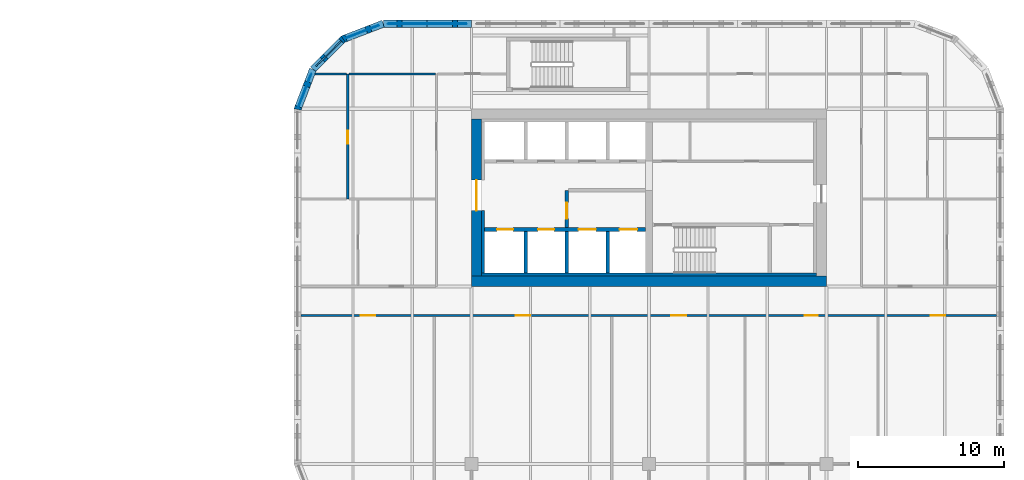
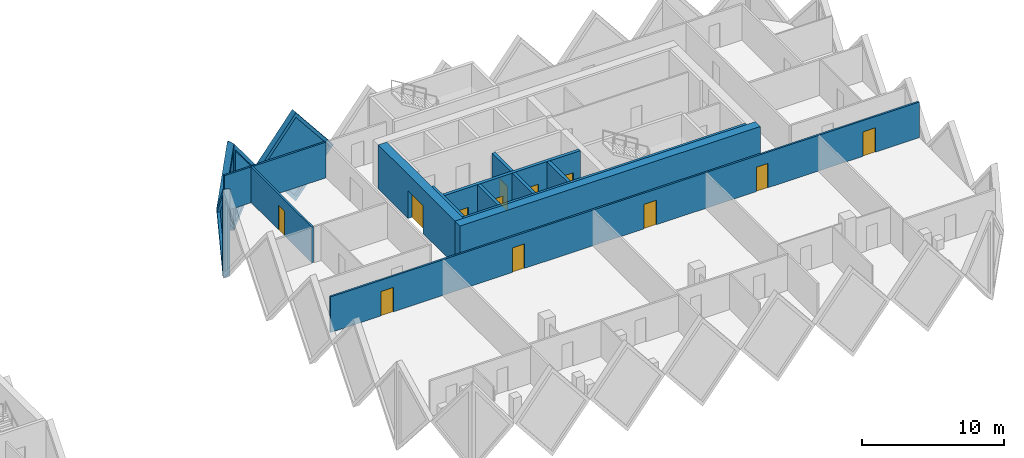
# One storey, part 13 of 20: 17 walls, 12 doors, 4 plates, 16 openings.
"""IFC4 building model written with IfcOpenShell, lengths in metres."""

import ifcopenshell
import ifcopenshell.guid

model = None  # the IFC model being written
_history = None  # IfcOwnerHistory: only IFC2X3 demands one
_inside = {}  # id of a spatial element -> (the spatial element, [elements in it])
_under = {}  # id of a project, library or spatial element -> (it, [spatial elements below it])
_declared = {}  # id of a project -> (the project, [libraries it declares])
_typed = {}  # id of a type object -> (the type object, [elements of that type])
_made_of = {}  # id of a material, layer set ... -> (it, [elements and type objects made of it])


def new_model(schema):
    """Start an empty IFC model of exactly this schema.

    Asked for "IFC4X3", IfcOpenShell would pick the latest addendum, in which some entities
    have other attributes; the version numbers below select the first issue.
    IFC2X3 requires an IfcOwnerHistory on every rooted entity: one is made here for all.
    """
    global model, _history
    if schema == "IFC4X3":
        model = ifcopenshell.file(schema_version=(4, 3, 0, 0))
    else:
        model = ifcopenshell.file(schema=schema)
    _inside.clear()
    _under.clear()
    _declared.clear()
    _typed.clear()
    _made_of.clear()
    _history = None
    if model.schema == "IFC2X3":
        org = make("IfcOrganization", Name="unknown")
        user = make(
            "IfcPersonAndOrganization",
            ThePerson=make("IfcPerson", FamilyName="unknown"),
            TheOrganization=org,
        )
        app = make(
            "IfcApplication",
            ApplicationDeveloper=org,
            Version="unknown",
            ApplicationFullName="unknown",
            ApplicationIdentifier="unknown",
        )
        _history = make(
            "IfcOwnerHistory",
            OwningUser=user,
            OwningApplication=app,
            ChangeAction="ADDED",
            CreationDate=0,
        )
    return model


def make(cls, **values):
    """One entity of the class cls with the attributes given. An attribute that is None is left unset."""
    return model.create_entity(
        cls, **{name: value for name, value in values.items() if value is not None}
    )


def rooted(cls, **values):
    """An entity with a GlobalId (a new one), such as an element, a storey or a relation."""
    return make(cls, GlobalId=ifcopenshell.guid.new(), OwnerHistory=_history, **values)


def si_unit(unit_type, name, prefix=None):
    """IfcSIUnit, for example si_unit("LENGTHUNIT", "METRE", prefix="MILLI")."""
    return make("IfcSIUnit", UnitType=unit_type, Prefix=prefix, Name=name)


def assignment(units):
    """IfcUnitAssignment: the units of a project."""
    return None if units is None else make("IfcUnitAssignment", Units=units)


def point(xyz):
    """IfcCartesianPoint."""
    return None if xyz is None else make("IfcCartesianPoint", Coordinates=xyz)


def direction(xyz):
    """IfcDirection."""
    return None if xyz is None else make("IfcDirection", DirectionRatios=xyz)


def frame(location, z_axis=None, x_axis=None):
    """IfcAxis2Placement3D, a coordinate frame: its origin and axes. An axis left out is left unset."""
    return make(
        "IfcAxis2Placement3D",
        Location=point(location),
        Axis=direction(z_axis),
        RefDirection=direction(x_axis),
    )


def frame_2d(location, x_axis=None):
    """IfcAxis2Placement2D, a coordinate frame in the plane: its origin and x axis."""
    return make(
        "IfcAxis2Placement2D", Location=point(location), RefDirection=direction(x_axis)
    )


def origin():
    """The frame at (0, 0, 0) with its axes left unset."""
    return frame((0.0, 0.0, 0.0))


def place(relative_to, where):
    """IfcLocalPlacement: puts the frame where relative to a parent placement (None: the world)."""
    return make(
        "IfcLocalPlacement", PlacementRelTo=relative_to, RelativePlacement=where
    )


def context(
    kind, dimensions, precision=None, world=None, true_north=None, identifier=None
):
    """IfcGeometricRepresentationContext, for example the 3D "Model" context."""
    return make(
        "IfcGeometricRepresentationContext",
        ContextIdentifier=identifier,
        ContextType=kind,
        CoordinateSpaceDimension=dimensions,
        Precision=precision,
        WorldCoordinateSystem=world,
        TrueNorth=true_north,
    )


def subcontext(parent, identifier, kind, view, scale=None):
    """IfcGeometricRepresentationSubContext, for example "Body" below "Model"."""
    return make(
        "IfcGeometricRepresentationSubContext",
        ContextIdentifier=identifier,
        ContextType=kind,
        ParentContext=parent,
        TargetScale=scale,
        TargetView=view,
    )


def project(units=None, contexts=None):
    """IfcProject with its units and contexts."""
    return rooted(
        "IfcProject",
        Name="project",
        RepresentationContexts=contexts,
        UnitsInContext=assignment(units),
    )


def spatial(cls, under=None, at=None, **own):
    """A site, building, storey or space (cls), placed at a placement, below another one or the project."""
    s = rooted(cls, ObjectPlacement=at, **own)
    if under is not None:
        _under.setdefault(under.id(), (under, []))[1].append(s)
    return s


def polyline(points):
    """IfcPolyline through the points."""
    return make("IfcPolyline", Points=[point(p) for p in points])


def profile(cls, at=None, kind="AREA", **sizes):
    """A parametric profile (cls). Its sizes go by their IFC names, for example OverallWidth=200.0."""
    return make(cls, ProfileType=kind, Position=at, **sizes)


def rectangle(**sizes):
    """IfcRectangleProfileDef."""
    return profile("IfcRectangleProfileDef", **sizes)


def outline(outer, holes=None, kind="AREA"):
    """IfcArbitraryClosedProfileDef: a profile drawn as a closed curve; with holes, ...WithVoids."""
    if holes is None:
        return make("IfcArbitraryClosedProfileDef", ProfileType=kind, OuterCurve=outer)
    return make(
        "IfcArbitraryProfileDefWithVoids",
        ProfileType=kind,
        OuterCurve=outer,
        InnerCurves=holes,
    )


def extrude(swept, where, along, depth):
    """IfcExtrudedAreaSolid: the profile swept, set in the frame where, extruded along a direction by depth."""
    return make(
        "IfcExtrudedAreaSolid",
        SweptArea=swept,
        Position=where,
        ExtrudedDirection=direction(along),
        Depth=depth,
    )


def faces_of(points, faces, orient=None, outer=None):
    """IfcFace entities. A face is a list of loops; a loop is a list of indices into points, from 0.

    orient and outer hold one flag for each loop. By default every Orientation is true, the
    first loop of a face is its IfcFaceOuterBound and the others are IfcFaceBound.
    """
    made = []
    for i, loops in enumerate(faces):
        bounds = []
        for j, loop in enumerate(loops):
            is_outer = j == 0 if outer is None else outer[i][j]
            bounds.append(
                make(
                    "IfcFaceOuterBound" if is_outer else "IfcFaceBound",
                    Bound=make("IfcPolyLoop", Polygon=[points[k] for k in loop]),
                    Orientation=True if orient is None else orient[i][j],
                )
            )
        made.append(make("IfcFace", Bounds=bounds))
    return made


def faceted_brep(points, faces, orient=None, outer=None, voids=None):
    """IfcFacetedBrep: a solid bounded by flat faces; with voids (closed shells), ...WithVoids."""
    shared = [point(p) for p in points]
    hull = make("IfcClosedShell", CfsFaces=faces_of(shared, faces, orient, outer))
    if voids is None:
        return make("IfcFacetedBrep", Outer=hull)
    return make(
        "IfcFacetedBrepWithVoids",
        Outer=hull,
        Voids=[
            make(cls, CfsFaces=faces_of(shared, fs, o, b)) for cls, fs, o, b in voids
        ],
    )


def shape(context_of_items, identifier, shape_type, items):
    """IfcShapeRepresentation: the items that make up one representation, for example the "Body"."""
    return make(
        "IfcShapeRepresentation",
        ContextOfItems=context_of_items,
        RepresentationIdentifier=identifier,
        RepresentationType=shape_type,
        Items=items,
    )


def source(mapping_origin, context_of_items, identifier, shape_type, items):
    """IfcRepresentationMap: a shape defined once, which mapped items show again and again."""
    return make(
        "IfcRepresentationMap",
        MappingOrigin=mapping_origin,
        MappedRepresentation=shape(context_of_items, identifier, shape_type, items),
    )


def transform(
    local_origin,
    x_axis=None,
    y_axis=None,
    z_axis=None,
    scale=None,
    scale2=None,
    scale3=None,
    uniform=True,
):
    """IfcCartesianTransformationOperator3D, or its non-uniform kind. x_axis, y_axis, z_axis: its Axis1, 2, 3."""
    if uniform:
        return make(
            "IfcCartesianTransformationOperator3D",
            Axis1=direction(x_axis),
            Axis2=direction(y_axis),
            LocalOrigin=point(local_origin),
            Scale=scale,
            Axis3=direction(z_axis),
        )
    return make(
        "IfcCartesianTransformationOperator3DnonUniform",
        Axis1=direction(x_axis),
        Axis2=direction(y_axis),
        LocalOrigin=point(local_origin),
        Scale=scale,
        Axis3=direction(z_axis),
        Scale2=scale2,
        Scale3=scale3,
    )


def mapped(mapping_source, mapping_target):
    """IfcMappedItem: shows the shape of a source again, moved by a transform."""
    return make(
        "IfcMappedItem", MappingSource=mapping_source, MappingTarget=mapping_target
    )


def material(Name=None, Category=None):
    """IfcMaterial."""
    return make("IfcMaterial", Name=Name, Category=Category)


def layer(
    of_material, thickness, ventilated=None, Name=None, Category=None, Priority=None
):
    """IfcMaterialLayer: one layer of a wall or slab, of a material (None: an air gap)."""
    return make(
        "IfcMaterialLayer",
        Material=of_material,
        LayerThickness=thickness,
        IsVentilated=ventilated,
        Name=Name,
        Category=Category,
        Priority=Priority,
    )


def layer_set(layers, Name=None):
    """IfcMaterialLayerSet."""
    return make("IfcMaterialLayerSet", MaterialLayers=layers, LayerSetName=Name)


def made_of(thing, what):
    """Note that an element or type object is made of a material, layer set ...; save() writes the relation."""
    if what is not None:
        _made_of.setdefault(what.id(), (what, []))[1].append(thing)
    return thing


def type_object(cls, material=None, **own):
    """A type object (cls), such as IfcWallType, which elements share."""
    return made_of(rooted(cls, **own), material)


def element(
    cls,
    number,
    at=None,
    inside=None,
    cuts=None,
    type_object=None,
    material=None,
    context=None,
    identifier="Body",
    shape_type=None,
    held_by="IfcProductDefinitionShape",
    body=None,
    shapes=None,
    **own,
):
    """One element of the class cls, such as IfcWall. Its Tag is "e" and its number.

    at: its placement. inside: the storey or other place that contains it. cuts: it is an
    opening in that element (IfcRelVoidsElement). A single representation is given by context,
    identifier, shape_type and body (its items); several are given by shapes. held_by: the class
    of the entity that holds the representations. save() writes the other relations.
    """
    e = rooted(cls, Tag="e%d" % number, ObjectPlacement=at, **own)
    if body is not None:
        shapes = [shape(context, identifier, shape_type, body)]
    if shapes is not None:
        e.Representation = make(held_by, Representations=shapes)
    if inside is not None:
        _inside.setdefault(inside.id(), (inside, []))[1].append(e)
    if cuts is not None:
        rooted(
            "IfcRelVoidsElement", RelatingBuildingElement=cuts, RelatedOpeningElement=e
        )
    if type_object is not None:
        _typed.setdefault(type_object.id(), (type_object, []))[1].append(e)
    return made_of(e, material)


def fill(opening, filler):
    """IfcRelFillsElement: the door or window that sits in an opening."""
    return rooted(
        "IfcRelFillsElement",
        RelatingOpeningElement=opening,
        RelatedBuildingElement=filler,
    )


def aggregate(whole, parts):
    """IfcRelAggregates: a whole, such as a stair, and the parts it consists of."""
    return rooted("IfcRelAggregates", RelatingObject=whole, RelatedObjects=parts)


def save(model, path):
    """Write the relations noted so far, then the file.

    IfcRelAggregates (storeys below a building ...), IfcRelContainedInSpatialStructure (elements
    in a storey), IfcRelDefinesByType, IfcRelAssociatesMaterial and IfcRelDeclares: one each for
    every whole, place, type object, material and project.
    """
    for whole, parts in _under.values():
        aggregate(whole, parts)
    for where, things in _inside.values():
        rooted(
            "IfcRelContainedInSpatialStructure",
            RelatedElements=things,
            RelatingStructure=where,
        )
    for kind, things in _typed.values():
        rooted("IfcRelDefinesByType", RelatedObjects=things, RelatingType=kind)
    for what, things in _made_of.values():
        rooted("IfcRelAssociatesMaterial", RelatedObjects=things, RelatingMaterial=what)
    for by, libraries in _declared.values():
        rooted("IfcRelDeclares", RelatingContext=by, RelatedDefinitions=libraries)
    model.write(path)


model = new_model("IFC4")

# Units and contexts
model_context = context("Model", 3, precision=1e-05, world=origin(), true_north=direction((0.0, 1.0)))
body_context = subcontext(model_context, "Body", "Model", "MODEL_VIEW")
ifc_project = project(units=[si_unit("LENGTHUNIT", "METRE"), si_unit("AREAUNIT", "SQUARE_METRE"), si_unit("VOLUMEUNIT", "CUBIC_METRE"), si_unit("PLANEANGLEUNIT", "RADIAN"), si_unit("MASSUNIT", "GRAM", prefix="KILO")], contexts=[model_context])

# Site, building, storey
site_placement = place(None, origin())
site = spatial("IfcSite", under=ifc_project, at=site_placement, CompositionType="ELEMENT")
building_placement = place(site_placement, origin())
building = spatial("IfcBuilding", under=site, at=building_placement, Name="Tessera Gate Towers", CompositionType="ELEMENT")
storey_placement = place(building_placement, frame((0.0, 0.0, 52.39990234375)))
storey = spatial("IfcBuildingStorey", under=building, at=storey_placement, Name="L12", CompositionType="ELEMENT", Elevation=52.39990234375)

# Wall, openings, doors
ifc_material_1 = material(Name="Concrete C40/50", Category="concrete")
ifc_layer_1 = layer(ifc_material_1, 0.25)
ifc_layer_set_1 = layer_set([ifc_layer_1], Name="CORE ENCLOSURE WALL 250")
wall_type_1 = type_object("IfcWallType", Name="CORE ENCLOSURE WALL 250", PredefinedType="SOLIDWALL", material=ifc_layer_set_1)
wall_1_placement = place(storey_placement, frame((98.5, 40.5, 0.0), z_axis=(0.0, 0.0, 1.0), x_axis=(1.0, 0.0, 0.0)))
wall_1 = element("IfcWall", 1, at=wall_1_placement, inside=storey, type_object=wall_type_1, Name="L12 shaft and stair enclosure wall", PredefinedType="SOLIDWALL", context=body_context, shape_type="SweptSolid", body=[
    extrude(rectangle(XDim=11.050048828125, YDim=0.25, at=frame_2d((5.52490234375, 0.0))), origin(), (0.0, 0.0, 1.0), 3.800048828125),
])
shared_shape_1 = source(origin(), body_context, "Body", "SweptSolid", [
    extrude(rectangle(XDim=1.10009765625, YDim=2.10009765625, at=frame_2d((0.550048828125, 1.050048828125))), frame((0.0, 0.135009765625, 0.0), z_axis=(0.0, -1.0, 0.0), x_axis=(1.0, 0.0, 0.0)), (0.0, 0.0, 1.0), 0.27001953125),
])
opening_1_placement = place(wall_1_placement, frame((0.862548828125, 0.0, 0.0)))
opening_1 = element("IfcOpeningElement", 2, at=opening_1_placement, cuts=wall_1, Name="Opening LD-TL1", PredefinedType="OPENING", context=body_context, shape_type="MappedRepresentation", body=[
    mapped(shared_shape_1, transform((0.0, 0.0, 0.0), scale=1.0)),
])
opening_2_placement = place(wall_1_placement, frame((3.6875, 0.0, 0.0)))
opening_2 = element("IfcOpeningElement", 3, at=opening_2_placement, cuts=wall_1, Name="Opening LD-TL2", PredefinedType="OPENING", context=body_context, shape_type="MappedRepresentation", body=[
    mapped(shared_shape_1, transform((0.0, 0.0, 0.0), scale=1.0)),
])
shared_shape_2 = source(origin(), body_context, "Body", "SweptSolid", [
    extrude(rectangle(XDim=1.199951171875, YDim=2.10009765625, at=frame_2d((0.60009765625, 1.050048828125))), frame((0.0, 0.135009765625, 0.0), z_axis=(0.0, -1.0, 0.0), x_axis=(1.0, 0.0, 0.0)), (0.0, 0.0, 1.0), 0.27001953125),
])
opening_3_placement = place(wall_1_placement, frame((6.46240234375, 0.0, 0.0)))
opening_3 = element("IfcOpeningElement", 4, at=opening_3_placement, cuts=wall_1, Name="Opening LD-FF3", PredefinedType="OPENING", context=body_context, shape_type="MappedRepresentation", body=[
    mapped(shared_shape_2, transform((0.0, 0.0, 0.0), scale=1.0)),
])
opening_4_placement = place(wall_1_placement, frame((9.28759765625, 0.0, 0.0)))
opening_4 = element("IfcOpeningElement", 5, at=opening_4_placement, cuts=wall_1, Name="Opening LD-FF4", PredefinedType="OPENING", context=body_context, shape_type="MappedRepresentation", body=[
    mapped(shared_shape_2, transform((0.0, 0.0, 0.0), scale=1.0)),
])
ifc_material_2 = material(Name="Stainless steel", Category="steel")
door_type_1 = type_object("IfcDoorType", Name="CORE DOOR LD1200 1200x2100", OperationType="DOUBLE_DOOR_SLIDING", PredefinedType="DOOR", material=ifc_material_2)
shared_shape_3 = source(origin(), body_context, "Body", "SweptSolid", [
    extrude(rectangle(XDim=1.199951171875, YDim=2.10009765625, at=frame_2d((0.60009765625, 1.050048828125))), frame((0.0, 0.02490234375, 0.0), z_axis=(0.0, -1.0, 0.0), x_axis=(1.0, 0.0, 0.0)), (0.0, 0.0, 1.0), 0.050048828125),
])
door_1_placement = place(opening_3_placement, origin())
door_1 = element("IfcDoor", 6, at=door_1_placement, inside=storey, type_object=door_type_1, Name="Landing door FF3 L12", OperationType="DOUBLE_DOOR_SLIDING", OverallHeight=2.10009765625, OverallWidth=1.199951171875, PredefinedType="DOOR", context=body_context, shape_type="MappedRepresentation", body=[
    mapped(shared_shape_3, transform((0.0, 0.0, 0.0), scale=1.0)),
])
fill(opening_3, door_1)
door_2_placement = place(opening_4_placement, origin())
door_2 = element("IfcDoor", 7, at=door_2_placement, inside=storey, type_object=door_type_1, Name="Landing door FF4 L12", OperationType="DOUBLE_DOOR_SLIDING", OverallHeight=2.10009765625, OverallWidth=1.199951171875, PredefinedType="DOOR", context=body_context, shape_type="MappedRepresentation", body=[
    mapped(shared_shape_3, transform((0.0, 0.0, 0.0), scale=1.0)),
])
fill(opening_4, door_2)
ifc_material_3 = material(Name="Stainless steel", Category="steel")
door_type_2 = type_object("IfcDoorType", Name="CORE DOOR LD 1100x2100", OperationType="DOUBLE_DOOR_SLIDING", PredefinedType="DOOR", material=ifc_material_3)
shared_shape_4 = source(origin(), body_context, "Body", "SweptSolid", [
    extrude(rectangle(XDim=1.10009765625, YDim=2.10009765625, at=frame_2d((0.550048828125, 1.050048828125))), frame((0.0, 0.02490234375, 0.0), z_axis=(0.0, -1.0, 0.0), x_axis=(1.0, 0.0, 0.0)), (0.0, 0.0, 1.0), 0.050048828125),
])
door_3_placement = place(opening_1_placement, origin())
door_3 = element("IfcDoor", 8, at=door_3_placement, inside=storey, type_object=door_type_2, Name="Landing door TL1 L12", OperationType="DOUBLE_DOOR_SLIDING", OverallHeight=2.10009765625, OverallWidth=1.10009765625, PredefinedType="DOOR", context=body_context, shape_type="MappedRepresentation", body=[
    mapped(shared_shape_4, transform((0.0, 0.0, 0.0), scale=1.0)),
])
fill(opening_1, door_3)
door_4_placement = place(opening_2_placement, origin())
door_4 = element("IfcDoor", 9, at=door_4_placement, inside=storey, type_object=door_type_2, Name="Landing door TL2 L12", OperationType="DOUBLE_DOOR_SLIDING", OverallHeight=2.10009765625, OverallWidth=1.10009765625, PredefinedType="DOOR", context=body_context, shape_type="MappedRepresentation", body=[
    mapped(shared_shape_4, transform((0.0, 0.0, 0.0), scale=1.0)),
])
fill(opening_2, door_4)

# Wall
wall_2_placement = place(storey_placement, frame((104.14990234375, 37.5, 0.0), z_axis=(0.0, 0.0, 1.0), x_axis=(0.0, 1.0, 0.0)))
element("IfcWall", 10, at=wall_2_placement, inside=storey, type_object=wall_type_1, Name="L12 shaft and stair enclosure wall", PredefinedType="SOLIDWALL", context=body_context, shape_type="SweptSolid", body=[
    extrude(rectangle(XDim=2.875, YDim=0.25, at=frame_2d((1.4375, 0.0))), origin(), (0.0, 0.0, 1.0), 3.800048828125),
])

# Wall, opening, door
wall_3_placement = place(storey_placement, frame((104.14990234375, 43.199951171875, 0.0), z_axis=(0.0, 0.0, 1.0), x_axis=(0.0, -1.0, 0.0)))
wall_3 = element("IfcWall", 11, at=wall_3_placement, inside=storey, type_object=wall_type_1, Name="L12 shaft and stair enclosure wall", PredefinedType="SOLIDWALL", context=body_context, shape_type="SweptSolid", body=[
    extrude(rectangle(XDim=2.574951171875, YDim=0.25, at=frame_2d((1.28759765625, 0.0))), origin(), (0.0, 0.0, 1.0), 3.800048828125),
])
opening_5_placement = place(wall_3_placement, frame((0.85009765625, 0.0, 0.0)))
opening_5 = element("IfcOpeningElement", 12, at=opening_5_placement, cuts=wall_3, Name="Opening FD-T2-03-03", PredefinedType="OPENING", context=body_context, shape_type="MappedRepresentation", body=[
    mapped(shared_shape_1, transform((0.0, 0.0, 0.0), scale=1.0)),
])
ifc_material_4 = material(Name="Hollow steel fire door", Category="steel")
door_type_3 = type_object("IfcDoorType", Name="CORE DOOR FD 1100x2100", OperationType="NOTDEFINED", PredefinedType="DOOR", material=ifc_material_4)
door_5_placement = place(opening_5_placement, origin())
door_5 = element("IfcDoor", 13, at=door_5_placement, inside=storey, type_object=door_type_3, Name="Fire-fighting lobby door", OperationType="SINGLE_SWING_RIGHT", OverallHeight=2.10009765625, OverallWidth=1.10009765625, PredefinedType="DOOR", context=body_context, shape_type="MappedRepresentation", body=[
    mapped(shared_shape_4, transform((0.0, 0.0, 0.0), scale=1.0)),
])
fill(opening_5, door_5)

# Walls
for number, where, z_axis, x_axis, name in (
    (14, (101.324951171875, 37.5, 0.0), (0.0, 0.0, 1.0), (0.0, 1.0, 0.0), "L12 shaft and stair enclosure wall"),
    (15, (106.97509765625, 37.5, 0.0), (0.0, 0.0, 1.0), (0.0, 1.0, 0.0), "L12 shaft and stair enclosure wall"),
):
    element("IfcWall", number, at=place(storey_placement, frame(where, z_axis=z_axis, x_axis=x_axis)), inside=storey, type_object=wall_type_1, Name=name, PredefinedType="SOLIDWALL", context=body_context, shape_type="SweptSolid", body=[
        extrude(rectangle(XDim=2.875, YDim=0.25, at=frame_2d((1.4375, 0.0))), origin(), (0.0, 0.0, 1.0), 3.800048828125),
    ])
ifc_material_5 = material(Name="Concrete C60/75", Category="concrete")
ifc_layer_2 = layer(ifc_material_5, 0.699951171875)
ifc_layer_set_2 = layer_set([ifc_layer_2], Name="CORE SHEAR WALL 700 C60/75")
wall_type_2 = type_object("IfcWallType", Name="CORE SHEAR WALL 700 C60/75", PredefinedType="SHEAR", material=ifc_layer_set_2)
wall_4_placement = place(storey_placement, frame((122.0, 36.949951171875, 0.0), z_axis=(0.0, 0.0, 1.0), x_axis=(-1.0, 0.0, 0.0)))
element("IfcWall", 16, at=wall_4_placement, inside=storey, type_object=wall_type_2, Name="Core wall S L12", PredefinedType="SHEAR", context=body_context, shape_type="SweptSolid", body=[
    extrude(rectangle(XDim=24.39990234375, YDim=0.699951171875, at=frame_2d((12.199951171875, 0.0))), origin(), (0.0, 0.0, 1.0), 3.800048828125),
])

# Wall, opening, door
wall_5_placement = place(storey_placement, frame((97.949951171875, 37.300048828125, 0.0), z_axis=(0.0, 0.0, 1.0), x_axis=(0.0, 1.0, 0.0)))
wall_5 = element("IfcWall", 17, at=wall_5_placement, inside=storey, type_object=wall_type_2, Name="Core wall W L12", PredefinedType="SHEAR", context=body_context, shape_type="SweptSolid", body=[
    extrude(rectangle(XDim=10.800048828125, YDim=0.699951171875, at=frame_2d((5.39990234375, 0.0))), origin(), (0.0, 0.0, 1.0), 3.800048828125),
])
shared_shape_5 = source(origin(), body_context, "Body", "SweptSolid", [
    extrude(rectangle(XDim=2.10009765625, YDim=2.39990234375, at=frame_2d((1.050048828125, 1.199951171875))), frame((0.0, 0.35986328125, 0.0), z_axis=(0.0, -1.0, 0.0), x_axis=(1.0, 0.0, 0.0)), (0.0, 0.0, 1.0), 0.719970703125),
])
opening_6_placement = place(wall_5_placement, frame((4.5, 0.0, 0.0)))
opening_6 = element("IfcOpeningElement", 18, at=opening_6_placement, cuts=wall_5, Name="Opening DD-T2-03-01", PredefinedType="OPENING", context=body_context, shape_type="MappedRepresentation", body=[
    mapped(shared_shape_5, transform((0.0, 0.0, 0.0), scale=1.0)),
])
ifc_material_6 = material(Name="Hollow steel fire door", Category="steel")
door_type_4 = type_object("IfcDoorType", Name="CORE DOOR DD 2100x2400", OperationType="NOTDEFINED", PredefinedType="DOOR", material=ifc_material_6)
shared_shape_6 = source(origin(), body_context, "Body", "SweptSolid", [
    extrude(rectangle(XDim=2.10009765625, YDim=2.39990234375, at=frame_2d((1.050048828125, 1.199951171875))), frame((0.0, 0.02490234375, 0.0), z_axis=(0.0, -1.0, 0.0), x_axis=(1.0, 0.0, 0.0)), (0.0, 0.0, 1.0), 0.050048828125),
])
door_6_placement = place(opening_6_placement, origin())
door_6 = element("IfcDoor", 19, at=door_6_placement, inside=storey, type_object=door_type_4, Name="Core entrance door", OperationType="DOUBLE_DOOR_SINGLE_SWING", OverallHeight=2.39990234375, OverallWidth=2.10009765625, PredefinedType="DOOR", context=body_context, shape_type="MappedRepresentation", body=[
    mapped(shared_shape_6, transform((0.0, 0.0, 0.0), scale=1.0)),
])
fill(opening_6, door_6)

# Walls
ifc_material_7 = material(Name="Concrete C60/75", Category="concrete")
ifc_layer_3 = layer(ifc_material_7, 0.199951171875)
ifc_layer_set_3 = layer_set([ifc_layer_3], Name="CORE WALL THICKENING 200")
wall_type_3 = type_object("IfcWallType", Name="CORE WALL THICKENING 200", PredefinedType="SOLIDWALL", material=ifc_layer_set_3)
wall_6_placement = place(storey_placement, frame((98.300048828125, 37.39990234375, 0.0), z_axis=(0.0, 0.0, 1.0), x_axis=(1.0, 0.0, 0.0)))
element("IfcWall", 20, at=wall_6_placement, inside=storey, type_object=wall_type_3, Name="Core wall thickening S L12", PredefinedType="SOLIDWALL", context=body_context, shape_type="SweptSolid", body=[
    extrude(rectangle(XDim=23.0, YDim=0.199951171875, at=frame_2d((11.5, 0.0))), origin(), (0.0, 0.0, 1.0), 3.800048828125),
])
wall_7_placement = place(storey_placement, frame((98.39990234375, 37.5, 0.0), z_axis=(0.0, 0.0, 1.0), x_axis=(0.0, 1.0, 0.0)))
element("IfcWall", 21, at=wall_7_placement, inside=storey, type_object=wall_type_3, Name="Core wall thickening W L12", PredefinedType="SOLIDWALL", context=body_context, shape_type="SweptSolid", body=[
    extrude(rectangle(XDim=4.300048828125, YDim=0.199951171875, at=frame_2d((2.14990234375, 0.0))), origin(), (0.0, 0.0, 1.0), 3.800048828125),
])

# Wall, openings, doors
ifc_material_8 = material(Name="Gypsum board on steel studs, mineral wool", Category="steel")
ifc_layer_4 = layer(ifc_material_8, 0.14990234375)
ifc_layer_set_4 = layer_set([ifc_layer_4], Name="CORRIDOR WALL 150")
wall_type_4 = type_object("IfcWallType", Name="CORRIDOR WALL 150", PredefinedType="PARTITIONING", material=ifc_layer_set_4)
wall_8_placement = place(storey_placement, frame((133.699951171875, 34.60009765625, 0.0), z_axis=(0.0, 0.0, 1.0), x_axis=(-1.0, 0.0, 0.0)))
wall_8 = element("IfcWall", 22, at=wall_8_placement, inside=storey, type_object=wall_type_4, Name="T2-L12-PW-024", PredefinedType="PARTITIONING", context=body_context, shape_type="SweptSolid", body=[
    extrude(rectangle(XDim=47.800048828125, YDim=0.14990234375, at=frame_2d((23.89990234375, 0.0))), origin(), (0.0, 0.0, 1.0), 3.067138671875),
])
shared_shape_7 = source(origin(), body_context, "Body", "SweptSolid", [
    extrude(rectangle(XDim=1.0, YDim=2.10009765625, at=frame_2d((0.5, 1.050048828125))), frame((0.0, 0.0849609375, 0.0), z_axis=(0.0, -1.0, 0.0), x_axis=(1.0, 0.0, 0.0)), (0.0, 0.0, 1.0), 0.169921875),
])
opening_7_placement = place(wall_8_placement, frame((3.549072265625, 0.0, 0.0)))
opening_7 = element("IfcOpeningElement", 23, at=opening_7_placement, cuts=wall_8, Name="Opening D2100FD60-B05-02", PredefinedType="OPENING", context=body_context, shape_type="MappedRepresentation", body=[
    mapped(shared_shape_7, transform((0.0, 0.0, 0.0), scale=1.0)),
])
opening_8_placement = place(wall_8_placement, frame((42.699951171875, 0.0, 0.0)))
opening_8 = element("IfcOpeningElement", 24, at=opening_8_placement, cuts=wall_8, Name="Opening D2100FD60-B05-04", PredefinedType="OPENING", context=body_context, shape_type="MappedRepresentation", body=[
    mapped(shared_shape_7, transform((0.0, 0.0, 0.0), scale=1.0)),
])
shared_shape_8 = source(origin(), body_context, "Body", "SweptSolid", [
    extrude(rectangle(XDim=0.89990234375, YDim=2.10009765625, at=frame_2d((0.449951171875, 1.050048828125))), frame((0.0, 0.0849609375, 0.0), z_axis=(0.0, -1.0, 0.0), x_axis=(1.0, 0.0, 0.0)), (0.0, 0.0, 1.0), 0.169921875),
])
opening_9_placement = place(wall_8_placement, frame((12.299072265625, 0.0, 0.0)))
opening_9 = element("IfcOpeningElement", 25, at=opening_9_placement, cuts=wall_8, Name="Opening D890FD60-B05-01", PredefinedType="OPENING", context=body_context, shape_type="MappedRepresentation", body=[
    mapped(shared_shape_8, transform((0.0, 0.0, 0.0), scale=1.0)),
])
opening_10_placement = place(wall_8_placement, frame((21.34912109375, 0.0, 0.0)))
opening_10 = element("IfcOpeningElement", 26, at=opening_10_placement, cuts=wall_8, Name="Opening D2100FD60-B05-05", PredefinedType="OPENING", context=body_context, shape_type="MappedRepresentation", body=[
    mapped(shared_shape_7, transform((0.0, 0.0, 0.0), scale=1.0)),
])
opening_11_placement = place(wall_8_placement, frame((32.050048828125, 0.0, 0.0)))
opening_11 = element("IfcOpeningElement", 27, at=opening_11_placement, cuts=wall_8, Name="Opening D2100FD60-B05-06", PredefinedType="OPENING", context=body_context, shape_type="MappedRepresentation", body=[
    mapped(shared_shape_7, transform((0.0, 0.0, 0.0), scale=1.0)),
])
ifc_material_9 = material(Name="Timber door leaf in steel frame", Category="steel")
door_type_5 = type_object("IfcDoorType", Name="CORRIDOR DOOR 900 FD60", OperationType="NOTDEFINED", PredefinedType="DOOR", material=ifc_material_9)
shared_shape_9 = source(origin(), body_context, "Body", "SweptSolid", [
    extrude(rectangle(XDim=0.89990234375, YDim=2.10009765625, at=frame_2d((0.449951171875, 1.050048828125))), frame((0.0, 0.02490234375, 0.0), z_axis=(0.0, -1.0, 0.0), x_axis=(1.0, 0.0, 0.0)), (0.0, 0.0, 1.0), 0.050048828125),
])
door_7_placement = place(opening_9_placement, origin())
door_7 = element("IfcDoor", 28, at=door_7_placement, inside=storey, type_object=door_type_5, Name="T2-L12-PD-020", OperationType="SINGLE_SWING_RIGHT", OverallHeight=2.10009765625, OverallWidth=0.89990234375, PredefinedType="DOOR", context=body_context, shape_type="MappedRepresentation", body=[
    mapped(shared_shape_9, transform((0.0, 0.0, 0.0), scale=1.0)),
])
fill(opening_9, door_7)
ifc_material_10 = material(Name="Timber door leaf in steel frame", Category="steel")
door_type_6 = type_object("IfcDoorType", Name="TENANCY ENTRANCE DOOR 1000 FD60", OperationType="NOTDEFINED", PredefinedType="DOOR", material=ifc_material_10)
shared_shape_10 = source(origin(), body_context, "Body", "SweptSolid", [
    extrude(rectangle(XDim=1.0, YDim=2.10009765625, at=frame_2d((0.5, 1.050048828125))), frame((0.0, 0.02490234375, 0.0), z_axis=(0.0, -1.0, 0.0), x_axis=(1.0, 0.0, 0.0)), (0.0, 0.0, 1.0), 0.050048828125),
])
door_8_placement = place(opening_7_placement, origin())
door_8 = element("IfcDoor", 29, at=door_8_placement, inside=storey, type_object=door_type_6, Name="T2-L12-PD-014", OperationType="SINGLE_SWING_RIGHT", OverallHeight=2.10009765625, OverallWidth=1.0, PredefinedType="DOOR", context=body_context, shape_type="MappedRepresentation", body=[
    mapped(shared_shape_10, transform((0.0, 0.0, 0.0), scale=1.0)),
])
fill(opening_7, door_8)
door_9_placement = place(opening_8_placement, origin())
door_9 = element("IfcDoor", 30, at=door_9_placement, inside=storey, type_object=door_type_6, Name="T2-L12-PD-019", OperationType="SINGLE_SWING_RIGHT", OverallHeight=2.10009765625, OverallWidth=1.0, PredefinedType="DOOR", context=body_context, shape_type="MappedRepresentation", body=[
    mapped(shared_shape_10, transform((0.0, 0.0, 0.0), scale=1.0)),
])
fill(opening_8, door_9)
door_10_placement = place(opening_10_placement, origin())
door_10 = element("IfcDoor", 31, at=door_10_placement, inside=storey, type_object=door_type_6, Name="T2-L12-PD-021", OperationType="SINGLE_SWING_RIGHT", OverallHeight=2.10009765625, OverallWidth=1.0, PredefinedType="DOOR", context=body_context, shape_type="MappedRepresentation", body=[
    mapped(shared_shape_10, transform((0.0, 0.0, 0.0), scale=1.0)),
])
fill(opening_10, door_10)
door_11_placement = place(opening_11_placement, origin())
door_11 = element("IfcDoor", 32, at=door_11_placement, inside=storey, type_object=door_type_6, Name="T2-L12-PD-024", OperationType="SINGLE_SWING_RIGHT", OverallHeight=2.10009765625, OverallWidth=1.0, PredefinedType="DOOR", context=body_context, shape_type="MappedRepresentation", body=[
    mapped(shared_shape_10, transform((0.0, 0.0, 0.0), scale=1.0)),
])
fill(opening_11, door_11)

# Wall, opening, door
ifc_material_11 = material(Name="Gypsum board on steel studs, mineral wool", Category="steel")
ifc_layer_5 = layer(ifc_material_11, 0.14990234375)
ifc_layer_set_5 = layer_set([ifc_layer_5], Name="TENANCY WALL 150")
wall_type_5 = type_object("IfcWallType", Name="TENANCY WALL 150", PredefinedType="PARTITIONING", material=ifc_layer_set_5)
wall_9_placement = place(storey_placement, frame((89.10009765625, 42.60009765625, 0.0), z_axis=(0.0, 0.0, 1.0), x_axis=(0.0, 1.0, 0.0)))
wall_9 = element("IfcWall", 33, at=wall_9_placement, inside=storey, type_object=wall_type_5, Name="T2-L12-PW-032", PredefinedType="PARTITIONING", context=body_context, shape_type="SweptSolid", body=[
    extrude(rectangle(XDim=8.599853515625, YDim=0.14990234375, at=frame_2d((4.2998046875, 0.0))), origin(), (0.0, 0.0, 1.0), 3.067138671875),
])
opening_12_placement = place(wall_9_placement, frame((3.800048828125, 0.0, 0.0)))
opening_12 = element("IfcOpeningElement", 34, at=opening_12_placement, cuts=wall_9, Name="Opening D190-B05-10", PredefinedType="OPENING", context=body_context, shape_type="MappedRepresentation", body=[
    mapped(shared_shape_8, transform((0.0, 0.0, 0.0), scale=1.0)),
])
ifc_material_12 = material(Name="Timber door leaf in steel frame", Category="steel")
door_type_7 = type_object("IfcDoorType", Name="INTERNAL DOOR 900 NOT RATED", OperationType="NOTDEFINED", PredefinedType="DOOR", material=ifc_material_12)
door_12_placement = place(opening_12_placement, origin())
door_12 = element("IfcDoor", 35, at=door_12_placement, inside=storey, type_object=door_type_7, Name="T2-L12-PD-017", OperationType="SINGLE_SWING_LEFT", OverallHeight=2.10009765625, OverallWidth=0.89990234375, PredefinedType="DOOR", context=body_context, shape_type="MappedRepresentation", body=[
    mapped(shared_shape_9, transform((0.0, 0.0, 0.0), scale=1.0)),
])
fill(opening_12, door_12)

# Walls
wall_10_placement = place(storey_placement, frame((86.86181640625, 51.199951171875, 0.0), z_axis=(0.0, 0.0, 1.0), x_axis=(1.0, 0.0, 0.0)))
element("IfcWall", 36, at=wall_10_placement, inside=storey, type_object=wall_type_5, Name="T2-L12-PW-037", PredefinedType="PARTITIONING", context=body_context, shape_type="SweptSolid", body=[
    extrude(rectangle(XDim=2.162109375, YDim=0.14990234375, at=frame_2d((1.0810546875, 0.0))), origin(), (0.0, 0.0, 1.0), 3.067138671875),
])
wall_11_placement = place(storey_placement, frame((89.176025390625, 51.199951171875, 0.0), z_axis=(0.0, 0.0, 1.0), x_axis=(1.0, 0.0, 0.0)))
element("IfcWall", 37, at=wall_11_placement, inside=storey, type_object=wall_type_5, Name="T2-L12-PW-038", PredefinedType="PARTITIONING", context=body_context, shape_type="SweptSolid", body=[
    extrude(rectangle(XDim=5.947998046875, YDim=0.14990234375, at=frame_2d((2.97412109375, 0.0))), origin(), (0.0, 0.0, 1.0), 3.067138671875),
])

# Wall, opening, plate
ifc_material_13 = material(Name="Precast concrete C60/75 white", Category="concrete")
ifc_layer_6 = layer(ifc_material_13, 0.5)
ifc_layer_set_6 = layer_set([ifc_layer_6], Name="TS3 corner tessera")
wall_type_6 = type_object("IfcWallType", Name="TS3 corner tessera", PredefinedType="SOLIDWALL", material=ifc_layer_set_6)
shared_shape_11 = source(origin(), body_context, "Body", "Brep", [
    faceted_brep([(2.950439453125, -0.25, 0.0), (2.9970703125, -0.25, 0.05908203125), (2.9970703125, -0.25, 7.540771484375), (2.950439453125, -0.25, 7.599853515625), (0.0, -0.25, 3.7998046875), (0.052978515625, 0.25, 3.867919921875), (2.904052734375, 0.25, 7.5400390625), (2.904052734375, 0.25, 0.059814453125), (0.052978515625, 0.25, 3.731689453125), (2.950439453125, 0.00048828125, 0.0), (2.950439453125, 0.00048828125, 7.599853515625), (0.0, 0.0, 3.7998046875)], [[[0, 1, 2, 3, 4]], [[5, 6, 7, 8]], [[1, 0, 9]], [[10, 3, 2]], [[6, 5, 11, 4, 3, 10]], [[8, 7, 9, 0, 4, 11]], [[8, 11, 5]], [[1, 9, 7, 6, 10, 2]]]),
])
wall_12_placement = place(storey_placement, frame((86.7119140625, 51.50634765625, -3.7998046875), z_axis=(0.0, 0.0, 1.0), x_axis=(-0.359874094142, -0.933000876937, 0.0)))
wall_12 = element("IfcWall", 38, at=wall_12_placement, inside=storey, type_object=wall_type_6, Name="Precast corner tessera T2 TS3-0171", PredefinedType="SOLIDWALL", context=body_context, shape_type="MappedRepresentation", body=[
    mapped(shared_shape_11, transform((0.0, 0.0, 0.0), scale=1.0)),
])
shared_shape_12 = source(origin(), body_context, "Body", "SweptSolid", [
    extrude(outline(polyline([(2.75048828125, 6.9345703125), (0.31640625, 3.7998046875), (2.75048828125, 0.6650390625), (2.75048828125, 6.9345703125)])), frame((0.0, 0.260009765625, 0.0), z_axis=(0.0, -1.0, 0.0), x_axis=(1.0, 0.0, 0.0)), (0.0, 0.0, 1.0), 0.52001953125),
])
opening_13_placement = place(wall_12_placement, origin())
opening_13 = element("IfcOpeningElement", 39, at=opening_13_placement, cuts=wall_12, Name="Opening T2-PL2-0263", PredefinedType="OPENING", context=body_context, shape_type="MappedRepresentation", body=[
    mapped(shared_shape_12, transform((0.0, 0.0, 0.0), scale=1.0)),
])
ifc_material_14 = material(Name="Low-e laminated glass", Category="glass")
ifc_layer_7 = layer(ifc_material_14, 0.06005859375)
ifc_layer_set_7 = layer_set([ifc_layer_7], Name="PL2 rhombic pane")
plate_type = type_object("IfcPlateType", Name="PL2 rhombic pane", PredefinedType="SHEET", material=ifc_layer_set_7)
shared_shape_13 = source(origin(), body_context, "Body", "SweptSolid", [
    extrude(outline(polyline([(2.75048828125, 6.9345703125), (0.31640625, 3.7998046875), (2.75048828125, 0.6650390625), (2.75048828125, 6.9345703125)])), frame((0.0, 0.030029296875, 0.0), z_axis=(0.0, -1.0, 0.0), x_axis=(1.0, 0.0, 0.0)), (0.0, 0.0, 1.0), 0.06005859375),
])
plate_1_placement = place(opening_13_placement, origin())
plate_1 = element("IfcPlate", 40, at=plate_1_placement, inside=storey, type_object=plate_type, Name="Glass pane T2 PL2-0263", PredefinedType="SHEET", context=body_context, shape_type="MappedRepresentation", body=[
    mapped(shared_shape_13, transform((0.0, 0.0, 0.0), scale=1.0)),
])
fill(opening_13, plate_1)

ifc_material_15 = material(Name="Precast concrete C60/75 white", Category="concrete")
ifc_layer_8 = layer(ifc_material_15, 0.5)
ifc_layer_set_8 = layer_set([ifc_layer_8], Name="TS1 tessera")
wall_type_7 = type_object("IfcWallType", Name="TS1 tessera", PredefinedType="SOLIDWALL", material=ifc_layer_set_8)
shared_shape_14 = source(origin(), body_context, "Body", "Brep", [
    faceted_brep([(3.050048828125, -0.25, 0.0), (6.053466796875, -0.25, 3.7998046875), (3.050048828125, -0.25, 7.599853515625), (0.0, -0.25, 3.7998046875), (0.0, 0.25, 3.7998046875), (3.050048828125, 0.25, 7.599853515625), (6.0068359375, 0.25, 3.858642578125), (6.0068359375, 0.25, 3.740966796875), (3.050048828125, 0.25, 0.0), (6.053466796875, 0.0, 3.7998046875)], [[[0, 1, 2, 3]], [[4, 5, 6, 7, 8]], [[8, 7, 9, 1, 0]], [[6, 5, 2, 1, 9]], [[5, 4, 3, 2]], [[4, 8, 0, 3]], [[9, 7, 6]]]),
])
wall_13_placement = place(storey_placement, frame((97.60009765625, 54.64990234375, -3.7998046875), z_axis=(0.0, 0.0, 1.0), x_axis=(-1.0, 0.0, 0.0)))
wall_13 = element("IfcWall", 41, at=wall_13_placement, inside=storey, type_object=wall_type_7, Name="Precast tessera T2 TS1-0140", PredefinedType="SOLIDWALL", context=body_context, shape_type="MappedRepresentation", body=[
    mapped(shared_shape_14, transform((0.0, 0.0, 0.0), scale=1.0)),
])
shared_shape_15 = source(origin(), body_context, "Body", "SweptSolid", [
    extrude(outline(polyline([(3.048583984375, 0.401123046875), (5.73486328125, 3.7998046875), (3.048583984375, 7.19873046875), (0.320556640625, 3.7998046875), (3.048583984375, 0.401123046875)])), frame((0.0, 0.260009765625, 0.0), z_axis=(0.0, -1.0, 0.0), x_axis=(1.0, 0.0, 0.0)), (0.0, 0.0, 1.0), 0.52001953125),
])
opening_14_placement = place(wall_13_placement, origin())
opening_14 = element("IfcOpeningElement", 42, at=opening_14_placement, cuts=wall_13, Name="Opening T2-PL2-0260", PredefinedType="OPENING", context=body_context, shape_type="MappedRepresentation", body=[
    mapped(shared_shape_15, transform((0.0, 0.0, 0.0), scale=1.0)),
])
shared_shape_16 = source(origin(), body_context, "Body", "SweptSolid", [
    extrude(outline(polyline([(3.048583984375, 0.401123046875), (5.73486328125, 3.7998046875), (3.048583984375, 7.19873046875), (0.320556640625, 3.7998046875), (3.048583984375, 0.401123046875)])), frame((0.0, 0.030029296875, 0.0), z_axis=(0.0, -1.0, 0.0), x_axis=(1.0, 0.0, 0.0)), (0.0, 0.0, 1.0), 0.06005859375),
])
plate_2_placement = place(opening_14_placement, origin())
plate_2 = element("IfcPlate", 43, at=plate_2_placement, inside=storey, type_object=plate_type, Name="Glass pane T2 PL2-0260", PredefinedType="SHEET", context=body_context, shape_type="MappedRepresentation", body=[
    mapped(shared_shape_16, transform((0.0, 0.0, 0.0), scale=1.0)),
])
fill(opening_14, plate_2)

shared_shape_17 = source(origin(), body_context, "Body", "Brep", [
    faceted_brep([(0.052978515625, -0.25, 0.0), (2.9970703125, -0.25, 3.7998046875), (0.052978515625, -0.25, 7.599853515625), (0.0, -0.25, 7.53173828125), (0.0, -0.25, 0.068115234375), (0.10595703125, 0.25, 7.531494140625), (2.944091796875, 0.25, 3.867919921875), (2.944091796875, 0.25, 3.731689453125), (0.10595703125, 0.25, 0.068359375), (2.9970703125, 0.000244140625, 3.7998046875), (0.052978515625, 0.0, 0.0), (0.052978515625, 0.0, 7.599853515625)], [[[0, 1, 2, 3, 4]], [[5, 6, 7, 8]], [[8, 7, 9, 1, 0, 10]], [[6, 5, 11, 2, 1, 9]], [[3, 2, 11]], [[10, 0, 4]], [[8, 10, 4, 3, 11, 5]], [[9, 7, 6]]]),
])
wall_14_placement = place(storey_placement, frame((88.831298828125, 53.62548828125, -3.7998046875), z_axis=(0.0, 0.0, 1.0), x_axis=(-0.707147509625, -0.707066050402, 0.0)))
wall_14 = element("IfcWall", 44, at=wall_14_placement, inside=storey, type_object=wall_type_6, Name="Precast corner tessera T2 TS3-0170", PredefinedType="SOLIDWALL", context=body_context, shape_type="MappedRepresentation", body=[
    mapped(shared_shape_17, transform((0.0, 0.0, 0.0), scale=1.0)),
])
shared_shape_18 = source(origin(), body_context, "Body", "SweptSolid", [
    extrude(outline(polyline([(0.2529296875, 0.666259765625), (2.680908203125, 3.7998046875), (0.2529296875, 6.93359375), (0.2529296875, 0.666259765625)])), frame((0.0, 0.260009765625, 0.0), z_axis=(0.0, -1.0, 0.0), x_axis=(1.0, 0.0, 0.0)), (0.0, 0.0, 1.0), 0.52001953125),
])
opening_15_placement = place(wall_14_placement, origin())
opening_15 = element("IfcOpeningElement", 45, at=opening_15_placement, cuts=wall_14, Name="Opening T2-PL2-0262", PredefinedType="OPENING", context=body_context, shape_type="MappedRepresentation", body=[
    mapped(shared_shape_18, transform((0.0, 0.0, 0.0), scale=1.0)),
])
shared_shape_19 = source(origin(), body_context, "Body", "SweptSolid", [
    extrude(outline(polyline([(0.2529296875, 0.666259765625), (2.680908203125, 3.7998046875), (0.2529296875, 6.93359375), (0.2529296875, 0.666259765625)])), frame((0.0, 0.030029296875, 0.0), z_axis=(0.0, -1.0, 0.0), x_axis=(1.0, 0.0, 0.0)), (0.0, 0.0, 1.0), 0.06005859375),
])
plate_3_placement = place(opening_15_placement, origin())
plate_3 = element("IfcPlate", 46, at=plate_3_placement, inside=storey, type_object=plate_type, Name="Glass pane T2 PL2-0262", PredefinedType="SHEET", context=body_context, shape_type="MappedRepresentation", body=[
    mapped(shared_shape_19, transform((0.0, 0.0, 0.0), scale=1.0)),
])
fill(opening_15, plate_3)

shared_shape_20 = source(origin(), body_context, "Body", "Brep", [
    faceted_brep([(2.950439453125, -0.25, 0.0), (3.00341796875, -0.25, 0.068359375), (3.00341796875, -0.25, 7.531494140625), (2.950439453125, -0.25, 7.599853515625), (0.0, -0.25, 3.7998046875), (0.046630859375, 0.25, 3.85986328125), (2.897705078125, 0.25, 7.53173828125), (2.897705078125, 0.25, 0.068115234375), (0.046630859375, 0.25, 3.73974609375), (2.950439453125, 0.00048828125, 0.0), (2.950439453125, 0.00048828125, 7.599853515625), (0.0, 0.0, 3.7998046875)], [[[0, 1, 2, 3, 4]], [[5, 6, 7, 8]], [[1, 0, 9]], [[10, 3, 2]], [[6, 5, 11, 4, 3, 10]], [[8, 7, 9, 0, 4, 11]], [[8, 11, 5]], [[1, 9, 7, 6, 10, 2]]]),
])
wall_15_placement = place(storey_placement, frame((91.546630859375, 54.64990234375, -3.7998046875), z_axis=(0.0, 0.0, 1.0), x_axis=(-0.933007896601, -0.359855894603, 0.0)))
wall_15 = element("IfcWall", 47, at=wall_15_placement, inside=storey, type_object=wall_type_6, Name="Precast corner tessera T2 TS3-0169", PredefinedType="SOLIDWALL", context=body_context, shape_type="MappedRepresentation", body=[
    mapped(shared_shape_20, transform((0.0, 0.0, 0.0), scale=1.0)),
])
opening_16_placement = place(wall_15_placement, origin())
opening_16 = element("IfcOpeningElement", 48, at=opening_16_placement, cuts=wall_15, Name="Opening T2-PL2-0261", PredefinedType="OPENING", context=body_context, shape_type="MappedRepresentation", body=[
    mapped(shared_shape_12, transform((0.0, 0.0, 0.0), scale=1.0)),
])
plate_4_placement = place(opening_16_placement, origin())
plate_4 = element("IfcPlate", 49, at=plate_4_placement, inside=storey, type_object=plate_type, Name="Glass pane T2 PL2-0261", PredefinedType="SHEET", context=body_context, shape_type="MappedRepresentation", body=[
    mapped(shared_shape_13, transform((0.0, 0.0, 0.0), scale=1.0)),
])
fill(opening_16, plate_4)

save(model, "model.ifc")
